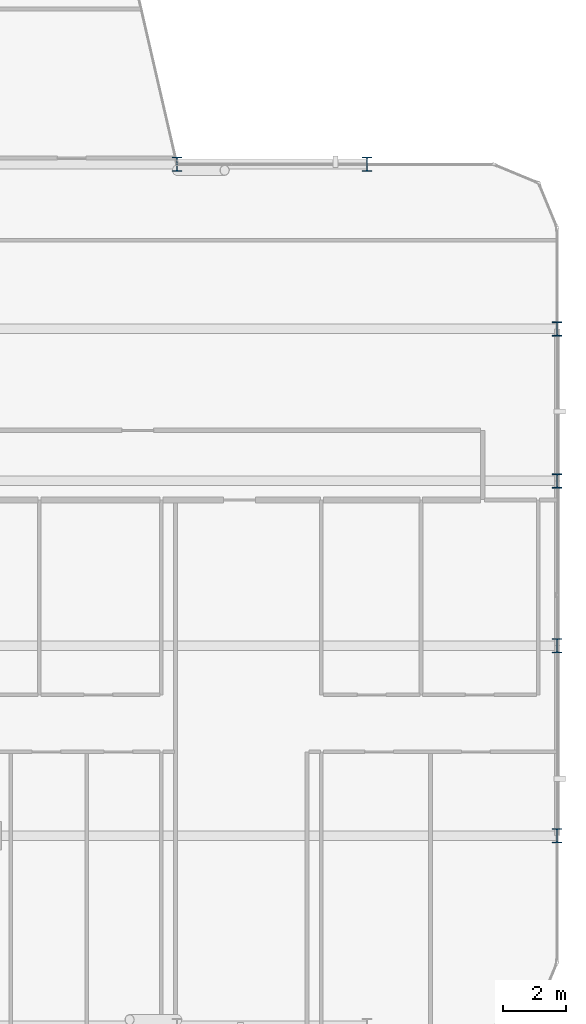
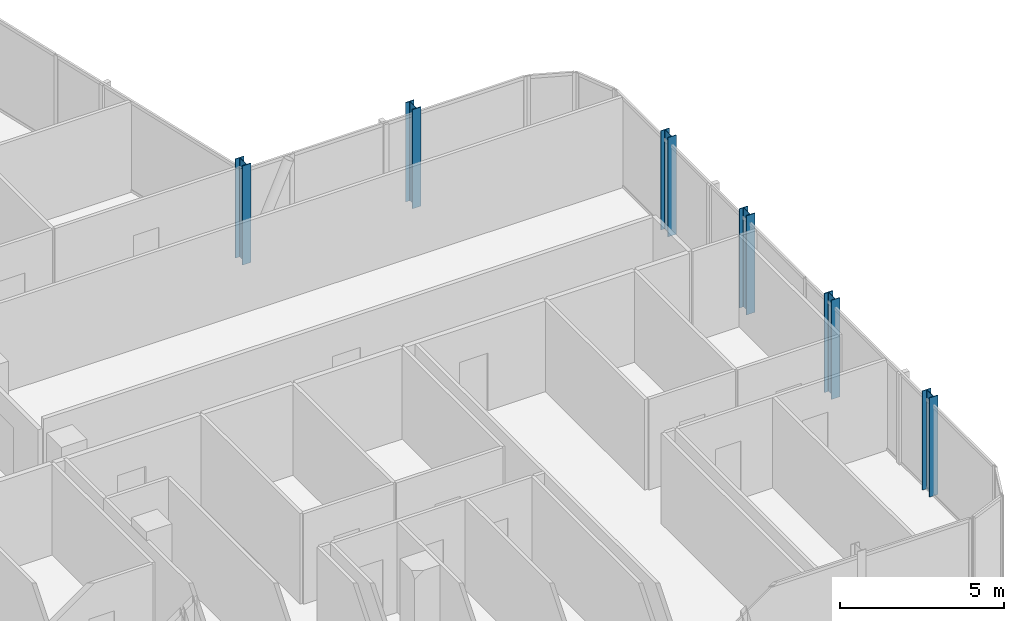
# One storey, part 2 of 29: 6 columns.
"""IFC4 building model written with IfcOpenShell, lengths in metres."""

from ifc_helpers import new_model, si_unit, direction, frame, origin, origin_2d, place, context, subcontext, project, spatial, i_section, extrude, material, material_profile, profile_set, type_object, element, save


model = new_model("IFC4")

# Units and contexts
model_context = context("Model", 3, precision=1e-05, world=origin(), true_north=direction((0.0, 1.0)))
body_context = subcontext(model_context, "Body", "Model", "MODEL_VIEW")
ifc_project = project(units=[si_unit("LENGTHUNIT", "METRE"), si_unit("AREAUNIT", "SQUARE_METRE"), si_unit("VOLUMEUNIT", "CUBIC_METRE"), si_unit("PLANEANGLEUNIT", "RADIAN"), si_unit("MASSUNIT", "GRAM", prefix="KILO")], contexts=[model_context])

# Site, building, storey
site_placement = place(None, origin())
site = spatial("IfcSite", under=ifc_project, at=site_placement, CompositionType="ELEMENT")
building_placement = place(site_placement, origin())
building = spatial("IfcBuilding", under=site, at=building_placement, Name="Keshet Zoharim Tower", CompositionType="ELEMENT")
storey_placement = place(building_placement, frame((0.0, 0.0, 180.199951171875)))
storey = spatial("IfcBuildingStorey", under=building, at=storey_placement, Name="L44", CompositionType="ELEMENT", Elevation=180.199951171875)

# Columns
ifc_material = material(Name="Steel S355", Category="steel")
ifc_material_profile = material_profile(ifc_material, i_section(OverallWidth=0.300048828125, OverallDepth=0.449951171875, WebThickness=0.013916015625, FlangeThickness=0.02587890625, FilletRadius=0.027099609375, at=origin_2d()), Name="HEB450")
ifc_profile_set = profile_set([ifc_material_profile], Name="Steel S355")
column_type = type_object("IfcColumnType", Name="COL-HEB450", PredefinedType="COLUMN", material=ifc_profile_set)
for number, where, z_axis, x_axis, name in (
    (1, (45.0, 27.89990234375, 0.0), (0.0, 0.0, 1.0), (1.0, 0.0, 0.0), "L44 Column 8F"),
    (2, (51.0, 27.89990234375, 0.0), (0.0, 0.0, 1.0), (1.0, 0.0, 0.0), "L44 Column 9F"),
    (3, (57.0, 6.699951171875, 0.0), (0.0, 0.0, 1.0), (1.0, 0.0, 0.0), "L44 Column 10B"),
    (4, (57.0, 12.699951171875, 0.0), (0.0, 0.0, 1.0), (1.0, 0.0, 0.0), "L44 Column 10C"),
    (5, (57.0, 17.89990234375, 0.0), (0.0, 0.0, 1.0), (1.0, 0.0, 0.0), "L44 Column 10D"),
    (6, (57.0, 22.699951171875, 0.0), (0.0, 0.0, 1.0), (1.0, 0.0, 0.0), "L44 Column 10E"),
):
    element("IfcColumn", number, at=place(storey_placement, frame(where, z_axis=z_axis, x_axis=x_axis)), inside=storey, type_object=column_type, Name=name, PredefinedType="COLUMN", context=body_context, shape_type="SweptSolid", body=[
        extrude(i_section(OverallWidth=0.300048828125, OverallDepth=0.449951171875, WebThickness=0.013916015625, FlangeThickness=0.02587890625, FilletRadius=0.027099609375, at=origin_2d()), origin(), (0.0, 0.0, 1.0), 3.699951171875),
    ])

save(model, "model.ifc")
